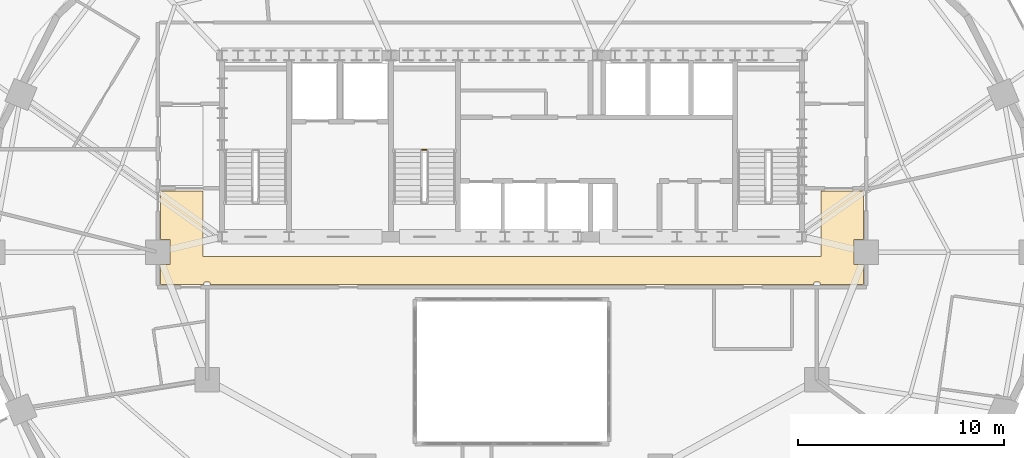
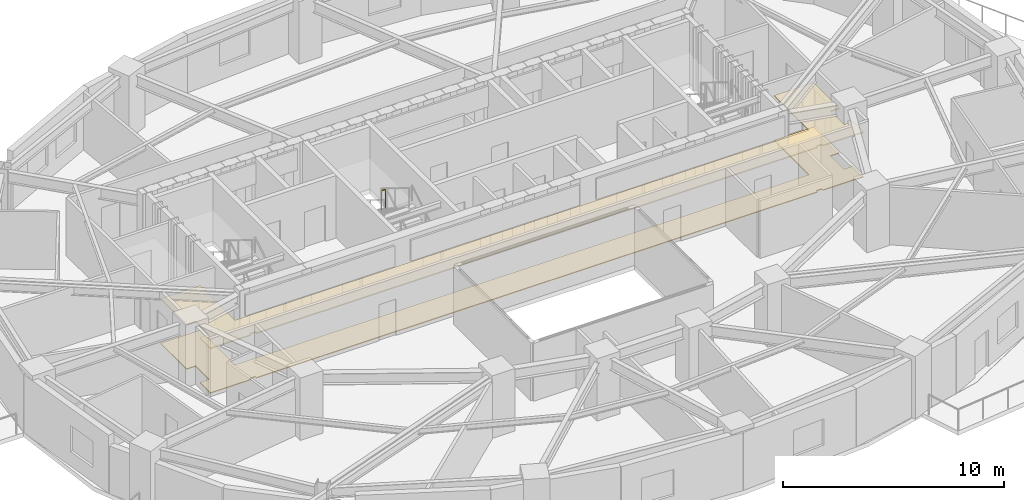
# One storey, part 11 of 12: 2 coverings, 1 railing.
"""IFC4 building model written with IfcOpenShell, lengths in metres."""

import ifcopenshell
import ifcopenshell.guid

model = None  # the IFC model being written
_history = None  # IfcOwnerHistory: only IFC2X3 demands one
_inside = {}  # id of a spatial element -> (the spatial element, [elements in it])
_under = {}  # id of a project, library or spatial element -> (it, [spatial elements below it])
_declared = {}  # id of a project -> (the project, [libraries it declares])
_typed = {}  # id of a type object -> (the type object, [elements of that type])
_made_of = {}  # id of a material, layer set ... -> (it, [elements and type objects made of it])


def new_model(schema):
    """Start an empty IFC model of exactly this schema.

    Asked for "IFC4X3", IfcOpenShell would pick the latest addendum, in which some entities
    have other attributes; the version numbers below select the first issue.
    IFC2X3 requires an IfcOwnerHistory on every rooted entity: one is made here for all.
    """
    global model, _history
    if schema == "IFC4X3":
        model = ifcopenshell.file(schema_version=(4, 3, 0, 0))
    else:
        model = ifcopenshell.file(schema=schema)
    _inside.clear()
    _under.clear()
    _declared.clear()
    _typed.clear()
    _made_of.clear()
    _history = None
    if model.schema == "IFC2X3":
        org = make("IfcOrganization", Name="unknown")
        user = make(
            "IfcPersonAndOrganization",
            ThePerson=make("IfcPerson", FamilyName="unknown"),
            TheOrganization=org,
        )
        app = make(
            "IfcApplication",
            ApplicationDeveloper=org,
            Version="unknown",
            ApplicationFullName="unknown",
            ApplicationIdentifier="unknown",
        )
        _history = make(
            "IfcOwnerHistory",
            OwningUser=user,
            OwningApplication=app,
            ChangeAction="ADDED",
            CreationDate=0,
        )
    return model


def make(cls, **values):
    """One entity of the class cls with the attributes given. An attribute that is None is left unset."""
    return model.create_entity(
        cls, **{name: value for name, value in values.items() if value is not None}
    )


def rooted(cls, **values):
    """An entity with a GlobalId (a new one), such as an element, a storey or a relation."""
    return make(cls, GlobalId=ifcopenshell.guid.new(), OwnerHistory=_history, **values)


def si_unit(unit_type, name, prefix=None):
    """IfcSIUnit, for example si_unit("LENGTHUNIT", "METRE", prefix="MILLI")."""
    return make("IfcSIUnit", UnitType=unit_type, Prefix=prefix, Name=name)


def assignment(units):
    """IfcUnitAssignment: the units of a project."""
    return None if units is None else make("IfcUnitAssignment", Units=units)


def point(xyz):
    """IfcCartesianPoint."""
    return None if xyz is None else make("IfcCartesianPoint", Coordinates=xyz)


def direction(xyz):
    """IfcDirection."""
    return None if xyz is None else make("IfcDirection", DirectionRatios=xyz)


def frame(location, z_axis=None, x_axis=None):
    """IfcAxis2Placement3D, a coordinate frame: its origin and axes. An axis left out is left unset."""
    return make(
        "IfcAxis2Placement3D",
        Location=point(location),
        Axis=direction(z_axis),
        RefDirection=direction(x_axis),
    )


def frame_2d(location, x_axis=None):
    """IfcAxis2Placement2D, a coordinate frame in the plane: its origin and x axis."""
    return make(
        "IfcAxis2Placement2D", Location=point(location), RefDirection=direction(x_axis)
    )


def origin():
    """The frame at (0, 0, 0) with its axes left unset."""
    return frame((0.0, 0.0, 0.0))


def origin_2d():
    """The frame at (0, 0) in the plane with its x axis left unset."""
    return frame_2d((0.0, 0.0))


def place(relative_to, where):
    """IfcLocalPlacement: puts the frame where relative to a parent placement (None: the world)."""
    return make(
        "IfcLocalPlacement", PlacementRelTo=relative_to, RelativePlacement=where
    )


def context(
    kind, dimensions, precision=None, world=None, true_north=None, identifier=None
):
    """IfcGeometricRepresentationContext, for example the 3D "Model" context."""
    return make(
        "IfcGeometricRepresentationContext",
        ContextIdentifier=identifier,
        ContextType=kind,
        CoordinateSpaceDimension=dimensions,
        Precision=precision,
        WorldCoordinateSystem=world,
        TrueNorth=true_north,
    )


def subcontext(parent, identifier, kind, view, scale=None):
    """IfcGeometricRepresentationSubContext, for example "Body" below "Model"."""
    return make(
        "IfcGeometricRepresentationSubContext",
        ContextIdentifier=identifier,
        ContextType=kind,
        ParentContext=parent,
        TargetScale=scale,
        TargetView=view,
    )


def project(units=None, contexts=None):
    """IfcProject with its units and contexts."""
    return rooted(
        "IfcProject",
        Name="project",
        RepresentationContexts=contexts,
        UnitsInContext=assignment(units),
    )


def spatial(cls, under=None, at=None, **own):
    """A site, building, storey or space (cls), placed at a placement, below another one or the project."""
    s = rooted(cls, ObjectPlacement=at, **own)
    if under is not None:
        _under.setdefault(under.id(), (under, []))[1].append(s)
    return s


def polyline(points):
    """IfcPolyline through the points."""
    return make("IfcPolyline", Points=[point(p) for p in points])


def profile(cls, at=None, kind="AREA", **sizes):
    """A parametric profile (cls). Its sizes go by their IFC names, for example OverallWidth=200.0."""
    return make(cls, ProfileType=kind, Position=at, **sizes)


def rectangle(**sizes):
    """IfcRectangleProfileDef."""
    return profile("IfcRectangleProfileDef", **sizes)


def outline(outer, holes=None, kind="AREA"):
    """IfcArbitraryClosedProfileDef: a profile drawn as a closed curve; with holes, ...WithVoids."""
    if holes is None:
        return make("IfcArbitraryClosedProfileDef", ProfileType=kind, OuterCurve=outer)
    return make(
        "IfcArbitraryProfileDefWithVoids",
        ProfileType=kind,
        OuterCurve=outer,
        InnerCurves=holes,
    )


def extrude(swept, where, along, depth):
    """IfcExtrudedAreaSolid: the profile swept, set in the frame where, extruded along a direction by depth."""
    return make(
        "IfcExtrudedAreaSolid",
        SweptArea=swept,
        Position=where,
        ExtrudedDirection=direction(along),
        Depth=depth,
    )


def shape(context_of_items, identifier, shape_type, items):
    """IfcShapeRepresentation: the items that make up one representation, for example the "Body"."""
    return make(
        "IfcShapeRepresentation",
        ContextOfItems=context_of_items,
        RepresentationIdentifier=identifier,
        RepresentationType=shape_type,
        Items=items,
    )


def material(Name=None, Category=None):
    """IfcMaterial."""
    return make("IfcMaterial", Name=Name, Category=Category)


def layer(
    of_material, thickness, ventilated=None, Name=None, Category=None, Priority=None
):
    """IfcMaterialLayer: one layer of a wall or slab, of a material (None: an air gap)."""
    return make(
        "IfcMaterialLayer",
        Material=of_material,
        LayerThickness=thickness,
        IsVentilated=ventilated,
        Name=Name,
        Category=Category,
        Priority=Priority,
    )


def layer_set(layers, Name=None):
    """IfcMaterialLayerSet."""
    return make("IfcMaterialLayerSet", MaterialLayers=layers, LayerSetName=Name)


def made_of(thing, what):
    """Note that an element or type object is made of a material, layer set ...; save() writes the relation."""
    if what is not None:
        _made_of.setdefault(what.id(), (what, []))[1].append(thing)
    return thing


def type_object(cls, material=None, **own):
    """A type object (cls), such as IfcWallType, which elements share."""
    return made_of(rooted(cls, **own), material)


def element(
    cls,
    number,
    at=None,
    inside=None,
    cuts=None,
    type_object=None,
    material=None,
    context=None,
    identifier="Body",
    shape_type=None,
    held_by="IfcProductDefinitionShape",
    body=None,
    shapes=None,
    **own,
):
    """One element of the class cls, such as IfcWall. Its Tag is "e" and its number.

    at: its placement. inside: the storey or other place that contains it. cuts: it is an
    opening in that element (IfcRelVoidsElement). A single representation is given by context,
    identifier, shape_type and body (its items); several are given by shapes. held_by: the class
    of the entity that holds the representations. save() writes the other relations.
    """
    e = rooted(cls, Tag="e%d" % number, ObjectPlacement=at, **own)
    if body is not None:
        shapes = [shape(context, identifier, shape_type, body)]
    if shapes is not None:
        e.Representation = make(held_by, Representations=shapes)
    if inside is not None:
        _inside.setdefault(inside.id(), (inside, []))[1].append(e)
    if cuts is not None:
        rooted(
            "IfcRelVoidsElement", RelatingBuildingElement=cuts, RelatedOpeningElement=e
        )
    if type_object is not None:
        _typed.setdefault(type_object.id(), (type_object, []))[1].append(e)
    return made_of(e, material)


def aggregate(whole, parts):
    """IfcRelAggregates: a whole, such as a stair, and the parts it consists of."""
    return rooted("IfcRelAggregates", RelatingObject=whole, RelatedObjects=parts)


def save(model, path):
    """Write the relations noted so far, then the file.

    IfcRelAggregates (storeys below a building ...), IfcRelContainedInSpatialStructure (elements
    in a storey), IfcRelDefinesByType, IfcRelAssociatesMaterial and IfcRelDeclares: one each for
    every whole, place, type object, material and project.
    """
    for whole, parts in _under.values():
        aggregate(whole, parts)
    for where, things in _inside.values():
        rooted(
            "IfcRelContainedInSpatialStructure",
            RelatedElements=things,
            RelatingStructure=where,
        )
    for kind, things in _typed.values():
        rooted("IfcRelDefinesByType", RelatedObjects=things, RelatingType=kind)
    for what, things in _made_of.values():
        rooted("IfcRelAssociatesMaterial", RelatedObjects=things, RelatingMaterial=what)
    for by, libraries in _declared.values():
        rooted("IfcRelDeclares", RelatingContext=by, RelatedDefinitions=libraries)
    model.write(path)


model = new_model("IFC4")

# Units and contexts
model_context = context("Model", 3, precision=1e-05, world=origin(), true_north=direction((0.0, 1.0)))
body_context = subcontext(model_context, "Body", "Model", "MODEL_VIEW")
ifc_project = project(units=[si_unit("LENGTHUNIT", "METRE"), si_unit("AREAUNIT", "SQUARE_METRE"), si_unit("VOLUMEUNIT", "CUBIC_METRE"), si_unit("PLANEANGLEUNIT", "RADIAN"), si_unit("MASSUNIT", "GRAM", prefix="KILO")], contexts=[model_context])

# Site, building, storey
site_placement = place(None, origin())
site = spatial("IfcSite", under=ifc_project, at=site_placement, CompositionType="ELEMENT")
building_placement = place(site_placement, origin())
building = spatial("IfcBuilding", under=site, at=building_placement, Name="Haldorwick Loom Tower", CompositionType="ELEMENT")
storey_placement = place(building_placement, frame((0.0, 0.0, 154.449951171875)))
storey = spatial("IfcBuildingStorey", under=building, at=storey_placement, Name="L41", CompositionType="ELEMENT", Elevation=154.449951171875)

# Coverings
ifc_material_1 = material(Name="Mineral Fibre Acoustic Ceiling Tile")
ifc_layer_1 = layer(ifc_material_1, 0.054931640625, Name="Mineral Fibre Acoustic Ceiling Tile")
ifc_layer_set_1 = layer_set([ifc_layer_1], Name="Mineral Fibre Acoustic Ceiling Tile")
covering_type_1 = type_object("IfcCoveringType", Name="ARC-COV-CEIL2", PredefinedType="CEILING", material=ifc_layer_set_1)
covering_1_placement = place(storey_placement, frame((0.0, 0.0, 2.4580078125)))
element("IfcCovering", 1, at=covering_1_placement, inside=storey, type_object=covering_type_1, Name="L41 Acoustic Suspended Ceiling 1", PredefinedType="CEILING", context=body_context, shape_type="SweptSolid", body=[
    extrude(outline(polyline([(51.0, 28.9599609375), (51.0, 25.800048828125), (21.0, 25.800048828125), (21.0, 28.9599609375), (18.93994140625, 28.9599609375), (18.93994140625, 26.60791015625), (19.407958984375, 26.60791015625), (19.407958984375, 25.39208984375), (18.93994140625, 25.39208984375), (18.93994140625, 24.43994140625), (21.06005859375, 24.43994140625), (21.06005859375, 24.52001953125), (21.06005859375, 24.52197265625), (21.060302734375, 24.52392578125), (21.060791015625, 24.52587890625), (21.0615234375, 24.527587890625), (21.0625, 24.529296875), (21.0634765625, 24.531005859375), (21.064453125, 24.53271484375), (21.06591796875, 24.5341796875), (21.0673828125, 24.535400390625), (21.06884765625, 24.53662109375), (21.070556640625, 24.53759765625), (21.072265625, 24.53857421875), (21.07421875, 24.5390625), (21.076171875, 24.53955078125), (21.077880859375, 24.539794921875), (21.080078125, 24.5400390625), (21.320068359375, 24.5400390625), (21.322021484375, 24.539794921875), (21.323974609375, 24.53955078125), (21.32568359375, 24.5390625), (21.32763671875, 24.53857421875), (21.329345703125, 24.53759765625), (21.3310546875, 24.53662109375), (21.332763671875, 24.535400390625), (21.333984375, 24.5341796875), (21.33544921875, 24.53271484375), (21.336669921875, 24.531005859375), (21.337646484375, 24.529296875), (21.33837890625, 24.527587890625), (21.339111328125, 24.52587890625), (21.339599609375, 24.52392578125), (21.33984375, 24.52197265625), (21.340087890625, 24.52001953125), (21.340087890625, 24.43994140625), (50.659912109375, 24.43994140625), (50.659912109375, 24.52001953125), (50.66015625, 24.52197265625), (50.660400390625, 24.52392578125), (50.660888671875, 24.52587890625), (50.66162109375, 24.527587890625), (50.662353515625, 24.529296875), (50.663330078125, 24.531005859375), (50.66455078125, 24.53271484375), (50.666015625, 24.5341796875), (50.667236328125, 24.535400390625), (50.6689453125, 24.53662109375), (50.670654296875, 24.53759765625), (50.67236328125, 24.53857421875), (50.67431640625, 24.5390625), (50.676025390625, 24.53955078125), (50.677978515625, 24.539794921875), (50.679931640625, 24.5400390625), (50.919921875, 24.5400390625), (50.922119140625, 24.539794921875), (50.923828125, 24.53955078125), (50.92578125, 24.5390625), (50.927734375, 24.53857421875), (50.929443359375, 24.53759765625), (50.93115234375, 24.53662109375), (50.9326171875, 24.535400390625), (50.93408203125, 24.5341796875), (50.935546875, 24.53271484375), (50.9365234375, 24.531005859375), (50.9375, 24.529296875), (50.9384765625, 24.527587890625), (50.939208984375, 24.52587890625), (50.939697265625, 24.52392578125), (50.93994140625, 24.52197265625), (50.93994140625, 24.52001953125), (50.93994140625, 24.43994140625), (53.06005859375, 24.43994140625), (53.06005859375, 25.39208984375), (52.592041015625, 25.39208984375), (52.592041015625, 26.60791015625), (53.06005859375, 26.60791015625), (53.06005859375, 28.9599609375), (51.0, 28.9599609375)])), origin(), (0.0, 0.0, 1.0), 0.054931640625),
])
ifc_material_2 = material(Name="Polished Aggregate Terrazzo Finish")
ifc_layer_2 = layer(ifc_material_2, 0.044921875, Name="Polished Aggregate Terrazzo Finish")
ifc_layer_set_2 = layer_set([ifc_layer_2], Name="Polished Aggregate Terrazzo Finish")
covering_type_2 = type_object("IfcCoveringType", Name="ARC-COV-FLOOR2", PredefinedType="FLOORING", material=ifc_layer_set_2)
covering_2_placement = place(storey_placement, origin())
element("IfcCovering", 2, at=covering_2_placement, inside=storey, type_object=covering_type_2, Name="L41 Floor Finish 1", PredefinedType="FLOORING", context=body_context, shape_type="SweptSolid", body=[
    extrude(outline(polyline([(51.0, 28.9599609375), (51.0, 25.800048828125), (21.0, 25.800048828125), (21.0, 28.9599609375), (18.93994140625, 28.9599609375), (18.93994140625, 26.60791015625), (19.407958984375, 26.60791015625), (19.407958984375, 25.39208984375), (18.93994140625, 25.39208984375), (18.93994140625, 24.43994140625), (21.06005859375, 24.43994140625), (21.06005859375, 24.52001953125), (21.06005859375, 24.52197265625), (21.060302734375, 24.52392578125), (21.060791015625, 24.52587890625), (21.0615234375, 24.527587890625), (21.0625, 24.529296875), (21.0634765625, 24.531005859375), (21.064453125, 24.53271484375), (21.06591796875, 24.5341796875), (21.0673828125, 24.535400390625), (21.06884765625, 24.53662109375), (21.070556640625, 24.53759765625), (21.072265625, 24.53857421875), (21.07421875, 24.5390625), (21.076171875, 24.53955078125), (21.077880859375, 24.539794921875), (21.080078125, 24.5400390625), (21.320068359375, 24.5400390625), (21.322021484375, 24.539794921875), (21.323974609375, 24.53955078125), (21.32568359375, 24.5390625), (21.32763671875, 24.53857421875), (21.329345703125, 24.53759765625), (21.3310546875, 24.53662109375), (21.332763671875, 24.535400390625), (21.333984375, 24.5341796875), (21.33544921875, 24.53271484375), (21.336669921875, 24.531005859375), (21.337646484375, 24.529296875), (21.33837890625, 24.527587890625), (21.339111328125, 24.52587890625), (21.339599609375, 24.52392578125), (21.33984375, 24.52197265625), (21.340087890625, 24.52001953125), (21.340087890625, 24.43994140625), (50.659912109375, 24.43994140625), (50.659912109375, 24.52001953125), (50.66015625, 24.52197265625), (50.660400390625, 24.52392578125), (50.660888671875, 24.52587890625), (50.66162109375, 24.527587890625), (50.662353515625, 24.529296875), (50.663330078125, 24.531005859375), (50.66455078125, 24.53271484375), (50.666015625, 24.5341796875), (50.667236328125, 24.535400390625), (50.6689453125, 24.53662109375), (50.670654296875, 24.53759765625), (50.67236328125, 24.53857421875), (50.67431640625, 24.5390625), (50.676025390625, 24.53955078125), (50.677978515625, 24.539794921875), (50.679931640625, 24.5400390625), (50.919921875, 24.5400390625), (50.922119140625, 24.539794921875), (50.923828125, 24.53955078125), (50.92578125, 24.5390625), (50.927734375, 24.53857421875), (50.929443359375, 24.53759765625), (50.93115234375, 24.53662109375), (50.9326171875, 24.535400390625), (50.93408203125, 24.5341796875), (50.935546875, 24.53271484375), (50.9365234375, 24.531005859375), (50.9375, 24.529296875), (50.9384765625, 24.527587890625), (50.939208984375, 24.52587890625), (50.939697265625, 24.52392578125), (50.93994140625, 24.52197265625), (50.93994140625, 24.52001953125), (50.93994140625, 24.43994140625), (53.06005859375, 24.43994140625), (53.06005859375, 25.39208984375), (52.592041015625, 25.39208984375), (52.592041015625, 26.60791015625), (53.06005859375, 26.60791015625), (53.06005859375, 28.9599609375), (51.0, 28.9599609375)])), origin(), (0.0, 0.0, 1.0), 0.045166015625),
])

# Railing
ifc_material_3 = material(Name="Steel CSA G40.21 350W", Category="steel")
railing_type = type_object("IfcRailingType", Name="ARC-RLG-GUARD112", PredefinedType="GUARDRAIL", material=ifc_material_3)
railing_placement = place(storey_placement, frame((31.85009765625, 30.969970703125, 1.72509765625)))
element("IfcRailing", 3, at=railing_placement, inside=storey, type_object=railing_type, Name="L41 ST-03 stair guard 2", PredefinedType="GUARDRAIL", context=body_context, shape_type="SweptSolid", body=[
    extrude(rectangle(XDim=0.048095703125, YDim=0.048095703125, at=origin_2d()), frame((0.0, 0.0, 1.076171875), z_axis=(-1.0, 0.0, 0.0), x_axis=(0.0, -1.0, 0.0)), (0.0, 0.0, 1.0), 0.2001953125),
    extrude(rectangle(XDim=0.0419921875, YDim=0.0419921875, at=origin_2d()), origin(), (0.0, 0.0, 1.0), 1.052001953125),
    extrude(rectangle(XDim=0.0419921875, YDim=0.0419921875, at=origin_2d()), frame((-0.2001953125, 0.0, 0.0)), (0.0, 0.0, 1.0), 1.052001953125),
])

save(model, "model.ifc")
